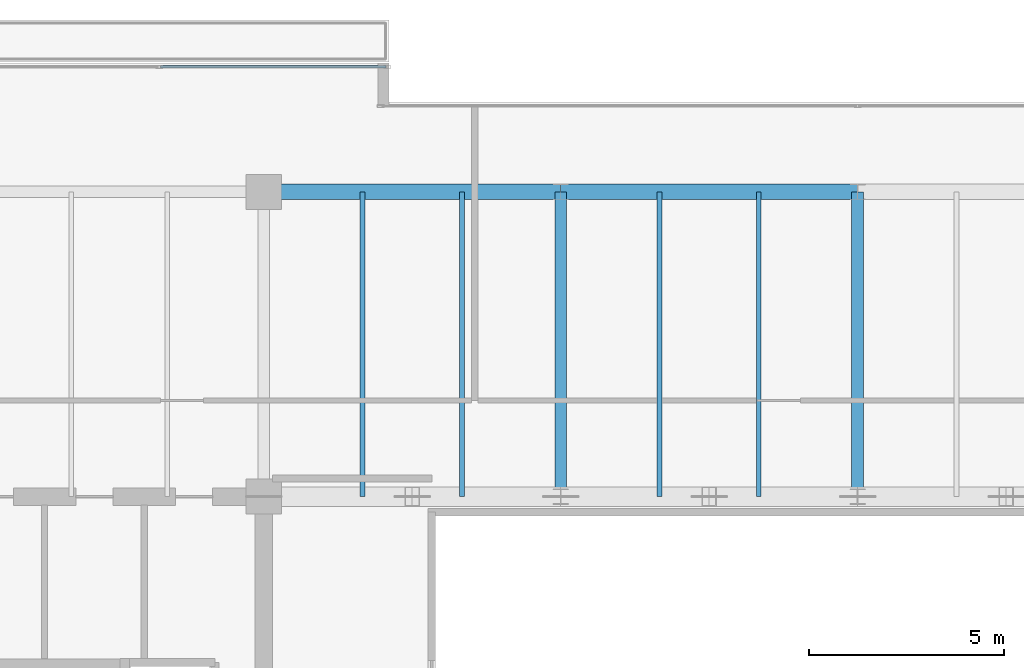
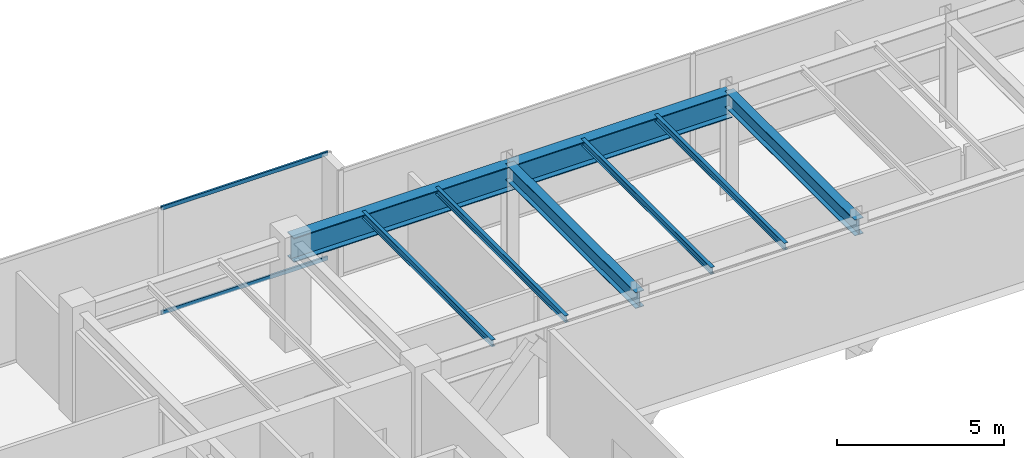
# One storey, part 20 of 34: 8 beams, 2 members, 1 element without a shape of its own.
"""IFC4 building model written with IfcOpenShell, lengths in metres."""

from ifc_helpers import new_model, si_unit, direction, frame, origin, origin_2d, place, context, subcontext, project, spatial, hollow_rectangle, i_section, extrude, source, transform, mapped, material, layer, layer_set, material_profile, profile_set, type_object, type_shapes, element, aggregate, save


model = new_model("IFC4")

# Units and contexts
model_context = context("Model", 3, precision=1e-05, world=origin(), true_north=direction((0.0, 1.0)))
body_context = subcontext(model_context, "Body", "Model", "MODEL_VIEW")
ifc_project = project(units=[si_unit("LENGTHUNIT", "METRE"), si_unit("AREAUNIT", "SQUARE_METRE"), si_unit("VOLUMEUNIT", "CUBIC_METRE"), si_unit("PLANEANGLEUNIT", "RADIAN"), si_unit("MASSUNIT", "GRAM", prefix="KILO")], contexts=[model_context])

# Site, building, storey
site_placement = place(None, origin())
site = spatial("IfcSite", under=ifc_project, at=site_placement, CompositionType="ELEMENT")
building_placement = place(site_placement, origin())
building = spatial("IfcBuilding", under=site, at=building_placement, Name="Haelvirn Gate Laboratories", CompositionType="ELEMENT")
storey_placement = place(building_placement, frame((0.0, 0.0, 297.60009765625)))
storey = spatial("IfcBuildingStorey", under=building, at=storey_placement, Name="L71", CompositionType="ELEMENT", Elevation=297.60009765625)

# Beams
ifc_material_1 = material(Name="Steel SM420", Category="steel")
ifc_material_profile_1 = material_profile(ifc_material_1, i_section(OverallWidth=0.39990234375, OverallDepth=0.89990234375, WebThickness=0.01904296875, FlangeThickness=0.031982421875, at=origin_2d()), Name="H-900x400x19x32")
ifc_profile_set_1 = profile_set([ifc_material_profile_1], Name="Steel SM420")
beam_type_1 = type_object("IfcBeamType", Name="BM-TG-900", PredefinedType="BEAM", material=ifc_profile_set_1)
shared_shape_1 = source(origin(), body_context, "Body", "SweptSolid", [
    extrude(i_section(OverallWidth=0.39990234375, OverallDepth=0.89990234375, WebThickness=0.01904296875, FlangeThickness=0.031982421875, at=origin_2d()), origin(), (0.0, 0.0, 1.0), 7.60009765625),
])
beam_1_placement = place(storey_placement, frame((22.199951171875, 41.60009765625, 3.449951171875), z_axis=(1.0, 0.0, 0.0), x_axis=(0.0, 1.0, 0.0)))
element("IfcBeam", 1, at=beam_1_placement, inside=storey, type_object=beam_type_1, Name="L71 Primary Girder Y41.6 (22.2-29.8)", PredefinedType="BEAM", context=body_context, shape_type="MappedRepresentation", body=[
    mapped(shared_shape_1, transform((0.0, 0.0, 0.0), scale=1.0)),
])
shared_shape_2 = source(origin(), body_context, "Body", "SweptSolid", [
    extrude(i_section(OverallWidth=0.39990234375, OverallDepth=0.89990234375, WebThickness=0.01904296875, FlangeThickness=0.031982421875, at=origin_2d()), origin(), (0.0, 0.0, 1.0), 7.599853515625),
])
type_shapes(beam_type_1, [shared_shape_1, shared_shape_2])
beam_2_placement = place(storey_placement, frame((29.800048828125, 41.60009765625, 3.449951171875), z_axis=(1.0, 0.0, 0.0), x_axis=(0.0, 1.0, 0.0)))
element("IfcBeam", 2, at=beam_2_placement, inside=storey, type_object=beam_type_1, Name="L71 Primary Girder Y41.6 (29.8-37.4)", PredefinedType="BEAM", context=body_context, shape_type="MappedRepresentation", body=[
    mapped(shared_shape_2, transform((0.0, 0.0, 0.0), scale=1.0)),
])
ifc_material_2 = material(Name="Steel SM355", Category="steel")
ifc_material_profile_2 = material_profile(ifc_material_2, i_section(OverallWidth=0.300048828125, OverallDepth=0.587890625, WebThickness=0.011962890625, FlangeThickness=0.02001953125, at=origin_2d()), Name="H-588x300x12x20")
ifc_profile_set_2 = profile_set([ifc_material_profile_2], Name="Steel SM355")
beam_type_2 = type_object("IfcBeamType", Name="BM-G-588", PredefinedType="BEAM", material=ifc_profile_set_2)
shared_shape_3 = source(origin(), body_context, "Body", "SweptSolid", [
    extrude(i_section(OverallWidth=0.300048828125, OverallDepth=0.587890625, WebThickness=0.011962890625, FlangeThickness=0.02001953125, at=origin_2d()), origin(), (0.0, 0.0, 1.0), 7.800048828125),
])
type_shapes(beam_type_2, [shared_shape_3])
for number, where, z_axis, x_axis, name in (
    (3, (29.800048828125, 33.800048828125, 3.60595703125), (0.0, 1.0, 0.0), (-1.0, 0.0, 0.0), "L71 Frame Girder X29.8 (33.8-41.6)"),
    (4, (37.39990234375, 33.800048828125, 3.60595703125), (0.0, 1.0, 0.0), (-1.0, 0.0, 0.0), "L71 Frame Girder X37.4 (33.8-41.6)"),
):
    element("IfcBeam", number, at=place(storey_placement, frame(where, z_axis=z_axis, x_axis=x_axis)), inside=storey, type_object=beam_type_2, Name=name, PredefinedType="BEAM", context=body_context, shape_type="MappedRepresentation", body=[
        mapped(shared_shape_3, transform((0.0, 0.0, 0.0), scale=1.0)),
    ])
ifc_material_profile_3 = material_profile(ifc_material_2, i_section(OverallWidth=0.125, OverallDepth=0.25, WebThickness=0.006103515625, FlangeThickness=0.009033203125, at=origin_2d()), Name="H-250x125x6x9")
ifc_profile_set_3 = profile_set([ifc_material_profile_3], Name="Steel SM355")
beam_type_3 = type_object("IfcBeamType", Name="BM-J-250", PredefinedType="JOIST", material=ifc_profile_set_3)
shared_shape_4 = source(origin(), body_context, "Body", "SweptSolid", [
    extrude(i_section(OverallWidth=0.125, OverallDepth=0.25, WebThickness=0.006103515625, FlangeThickness=0.009033203125, at=origin_2d()), origin(), (0.0, 0.0, 1.0), 7.800048828125),
])
type_shapes(beam_type_3, [shared_shape_4])
for number, where, z_axis, x_axis, name in (
    (5, (24.72998046875, 33.800048828125, 3.77490234375), (0.0, 1.0, 0.0), (-1.0, 0.0, 0.0), "L71 Composite Lab Joist North X24.73"),
    (6, (27.27001953125, 33.800048828125, 3.77490234375), (0.0, 1.0, 0.0), (-1.0, 0.0, 0.0), "L71 Composite Lab Joist North X27.27"),
    (7, (32.330078125, 33.800048828125, 3.77490234375), (0.0, 1.0, 0.0), (-1.0, 0.0, 0.0), "L71 Composite Lab Joist North X32.33"),
    (8, (34.8701171875, 33.800048828125, 3.77490234375), (0.0, 1.0, 0.0), (-1.0, 0.0, 0.0), "L71 Composite Lab Joist North X34.87"),
):
    element("IfcBeam", number, at=place(storey_placement, frame(where, z_axis=z_axis, x_axis=x_axis)), inside=storey, type_object=beam_type_3, Name=name, PredefinedType="JOIST", context=body_context, shape_type="MappedRepresentation", body=[
        mapped(shared_shape_4, transform((0.0, 0.0, 0.0), scale=1.0)),
    ])

# Curtain wall, members
ifc_material_3 = material(Name="Anodised bronze unitised aluminium & triple low-E glass", Category="aluminium")
ifc_layer = layer(ifc_material_3, 0.176025390625, Name="CW-SYS-4")
ifc_layer_set = layer_set([ifc_layer], Name="Anodised bronze unitised aluminium & triple low-E glass")
curtain_wall_type = type_object("IfcCurtainWallType", Name="CW-SYS-4", PredefinedType="NOTDEFINED", material=ifc_layer_set)
curtain_wall_placement = place(storey_placement, origin())
curtain_wall = element("IfcCurtainWall", 9, at=curtain_wall_placement, inside=storey, type_object=curtain_wall_type, Name="L71 Unitised Curtain Wall CW-L71-P0-E14-2", PredefinedType="NOTDEFINED")
ifc_material_4 = material(Name="Extruded aluminium 6063-T6 (anodised bronze)", Category="aluminium")
ifc_material_profile_4 = material_profile(ifc_material_4, hollow_rectangle(XDim=0.06494140625, YDim=0.139892578125, WallThickness=0.00390625, at=origin_2d()), Name="CWT-140x65x4")
ifc_profile_set_4 = profile_set([ifc_material_profile_4], Name="Extruded aluminium 6063-T6 (anodised bronze)")
member_type = type_object("IfcMemberType", Name="CWT-T140", PredefinedType="USERDEFINED", material=ifc_profile_set_4)
shared_shape_5 = source(origin(), body_context, "Body", "SweptSolid", [
    extrude(hollow_rectangle(XDim=0.06494140625, YDim=0.139892578125, WallThickness=0.00390625, at=origin_2d()), origin(), (0.0, 0.0, 1.0), 5.7724609375),
])
type_shapes(member_type, [shared_shape_5])
member_1_placement = place(storey_placement, frame((19.5576171875, 44.800048828125, 0.032470703125), z_axis=(1.0, 0.0, 0.0), x_axis=(0.0, 1.0, 0.0)))
member_1 = element("IfcMember", 10, at=member_1_placement, type_object=member_type, Name="CW4 transom 2.1", ObjectType="TRANSOM", PredefinedType="USERDEFINED", context=body_context, shape_type="MappedRepresentation", body=[
    mapped(shared_shape_5, transform((0.0, 0.0, 0.0), scale=1.0)),
])
member_2_placement = place(storey_placement, frame((19.5576171875, 44.800048828125, 3.867431640625), z_axis=(1.0, 0.0, 0.0), x_axis=(0.0, 1.0, 0.0)))
member_2 = element("IfcMember", 11, at=member_2_placement, type_object=member_type, Name="CW4 transom 2.2", ObjectType="TRANSOM", PredefinedType="USERDEFINED", context=body_context, shape_type="MappedRepresentation", body=[
    mapped(shared_shape_5, transform((0.0, 0.0, 0.0), scale=1.0)),
])
aggregate(curtain_wall, [member_1, member_2])

save(model, "model.ifc")
